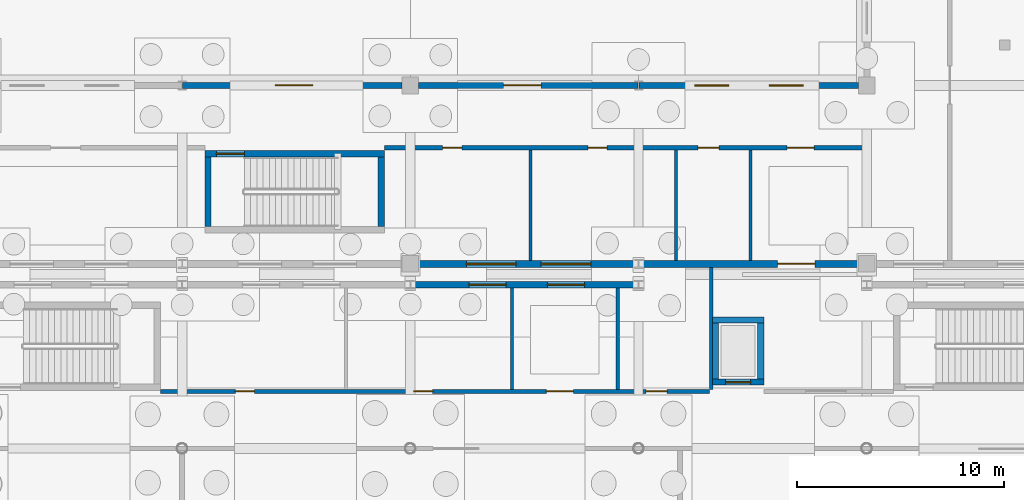
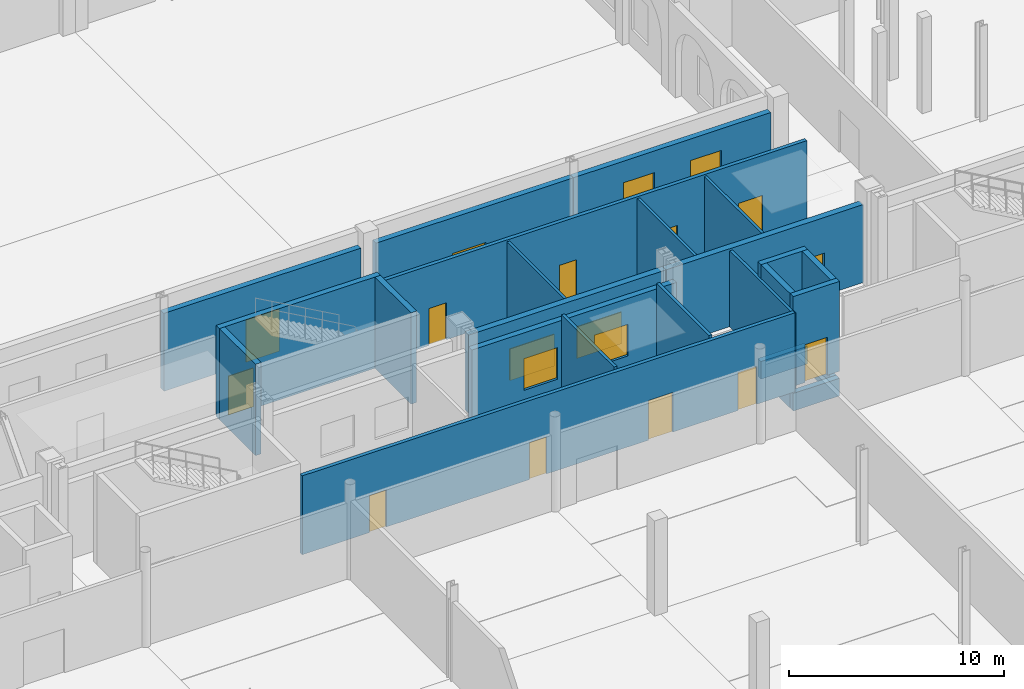
# One storey, part 55 of 83: 25 walls, 13 doors, 6 windows, 19 openings.
"""IFC4 building model written with IfcOpenShell, lengths in metres."""

from ifc_helpers import new_model, si_unit, direction, frame, frame_2d, origin, place, context, subcontext, project, spatial, rectangle, extrude, material, layer, layer_set, type_object, element, fill, save


model = new_model("IFC4")

# Units and contexts
model_context = context("Model", 3, precision=1e-05, world=origin(), true_north=direction((0.0, 1.0)))
body_context = subcontext(model_context, "Body", "Model", "MODEL_VIEW")
ifc_project = project(units=[si_unit("LENGTHUNIT", "METRE"), si_unit("AREAUNIT", "SQUARE_METRE"), si_unit("VOLUMEUNIT", "CUBIC_METRE"), si_unit("PLANEANGLEUNIT", "RADIAN"), si_unit("MASSUNIT", "GRAM", prefix="KILO")], contexts=[model_context])

# Site, building, storey
site_placement = place(None, origin())
site = spatial("IfcSite", under=ifc_project, at=site_placement, CompositionType="ELEMENT")
building_placement = place(site_placement, origin())
building = spatial("IfcBuilding", under=site, at=building_placement, Name="Caurita Quay Ferry Terminal", CompositionType="ELEMENT")
storey_placement = place(building_placement, origin())
storey = spatial("IfcBuildingStorey", under=building, at=storey_placement, Name="L00", CompositionType="ELEMENT", Elevation=0.0)

# Wall, opening, door
ifc_material_1 = material(Name="Reinforced concrete C35/45", Category="concrete")
ifc_layer_1 = layer(ifc_material_1, 0.300048828125, Name="Interior shear wall 300 mm")
ifc_layer_set_1 = layer_set([ifc_layer_1], Name="Reinforced concrete C35/45")
wall_type_1 = type_object("IfcWallType", Name="WL-CORE-300", PredefinedType="SHEAR", material=ifc_layer_set_1)
wall_1_placement = place(storey_placement, frame((42.75, 76.909912109375, 0.0), z_axis=(0.0, 0.0, 1.0), x_axis=(-1.0, 0.0, 0.0)))
wall_1 = element("IfcWall", 1, at=wall_1_placement, inside=storey, type_object=wall_type_1, Name="L00 ST-03 Core Wall North", PredefinedType="SHEAR", context=body_context, shape_type="SweptSolid", body=[
    extrude(rectangle(XDim=8.64990234375, YDim=0.300048828125, at=frame_2d((4.324951171875, 0.0))), origin(), (0.0, 0.0, 1.0), 5.179931640625),
])
opening_1_placement = place(wall_1_placement, frame((6.75, 0.0, 0.0)))
opening_1 = element("IfcOpeningElement", 2, at=opening_1_placement, cuts=wall_1, Name="Opening SD-01", PredefinedType="OPENING", context=body_context, shape_type="SweptSolid", body=[
    extrude(rectangle(XDim=1.35009765625, YDim=2.199951171875, at=frame_2d((0.675048828125, 1.10009765625))), frame((0.0, 0.159912109375, 0.0), z_axis=(0.0, -1.0, 0.0), x_axis=(1.0, 0.0, 0.0)), (0.0, 0.0, 1.0), 0.320068359375),
])
ifc_material_2 = material(Name="Anodized aluminium 6063-T6", Category="aluminium")
door_type_1 = type_object("IfcDoorType", Name="DR-ST-1200", OperationType="NOTDEFINED", PredefinedType="DOOR", material=ifc_material_2)
door_1_placement = place(opening_1_placement, frame((1.35009765625, 0.0, 0.0), z_axis=(0.0, 0.0, 1.0), x_axis=(-1.0, 0.0, 0.0)))
door_1 = element("IfcDoor", 3, at=door_1_placement, inside=storey, type_object=door_type_1, Name="L00 Exit Stair ST-03 Fire Door", OperationType="SINGLE_SWING_LEFT", OverallHeight=2.199951171875, OverallWidth=1.35009765625, PredefinedType="DOOR", context=body_context, shape_type="SweptSolid", body=[
    extrude(rectangle(XDim=1.35009765625, YDim=2.199951171875, at=frame_2d((0.675048828125, 1.10009765625))), frame((0.0, 0.02490234375, 0.0), z_axis=(0.0, -1.0, 0.0), x_axis=(1.0, 0.0, 0.0)), (0.0, 0.0, 1.0), 0.050048828125),
])
fill(opening_1, door_1)

# Walls
for number, where, z_axis, x_axis, name in (
    (4, (34.25, 76.760009765625, 0.0), (0.0, 0.0, 1.0), (0.0, -1.0, 0.0), "L00 ST-03 Core Wall West"),
    (5, (42.60009765625, 73.39990234375, 0.0), (0.0, 0.0, 1.0), (0.0, 1.0, 0.0), "L00 ST-03 Core Wall East"),
):
    element("IfcWall", number, at=place(storey_placement, frame(where, z_axis=z_axis, x_axis=x_axis)), inside=storey, type_object=wall_type_1, Name=name, PredefinedType="SHEAR", context=body_context, shape_type="SweptSolid", body=[
        extrude(rectangle(XDim=3.360107421875, YDim=0.300048828125, at=frame_2d((1.68017578125, 0.0))), origin(), (0.0, 0.0, 1.0), 5.179931640625),
    ])
for number, where, z_axis, x_axis, name in (
    (6, (58.554931640625, 65.905029296875, -1.39990234375), (0.0, 0.0, 1.0), (1.0, 0.0, 0.0), "Lift LP-02 Pit Wall S"),
    (7, (61.044921875, 68.89501953125, -1.39990234375), (0.0, 0.0, 1.0), (-1.0, 0.0, 0.0), "Lift LP-02 Pit Wall N"),
):
    element("IfcWall", number, at=place(storey_placement, frame(where, z_axis=z_axis, x_axis=x_axis)), inside=storey, type_object=wall_type_1, Name=name, PredefinedType="SHEAR", context=body_context, shape_type="SweptSolid", body=[
        extrude(rectangle(XDim=2.489990234375, YDim=0.300048828125, at=frame_2d((1.2451171875, 0.0))), origin(), (0.0, 0.0, 1.0), 1.0),
    ])
for number, where, z_axis, x_axis, name in (
    (8, (58.705078125, 68.7451171875, -1.39990234375), (0.0, 0.0, 1.0), (0.0, -1.0, 0.0), "Lift LP-02 Pit Wall W"),
    (9, (60.89501953125, 66.054931640625, -1.39990234375), (0.0, 0.0, 1.0), (0.0, 1.0, 0.0), "Lift LP-02 Pit Wall E"),
):
    element("IfcWall", number, at=place(storey_placement, frame(where, z_axis=z_axis, x_axis=x_axis)), inside=storey, type_object=wall_type_1, Name=name, PredefinedType="SHEAR", context=body_context, shape_type="SweptSolid", body=[
        extrude(rectangle(XDim=2.690185546875, YDim=0.300048828125, at=frame_2d((1.34521484375, 0.0))), origin(), (0.0, 0.0, 1.0), 1.0),
    ])

# Wall, opening, door
wall_2_placement = place(storey_placement, frame((58.554931640625, 65.905029296875, 0.0), z_axis=(0.0, 0.0, 1.0), x_axis=(1.0, 0.0, 0.0)))
wall_2 = element("IfcWall", 10, at=wall_2_placement, inside=storey, type_object=wall_type_1, Name="L00 Lift LP-02 Shaft Wall South", PredefinedType="SHEAR", context=body_context, shape_type="SweptSolid", body=[
    extrude(rectangle(XDim=2.489990234375, YDim=0.300048828125, at=frame_2d((1.2451171875, 0.0))), origin(), (0.0, 0.0, 1.0), 5.10009765625),
])
opening_2_placement = place(wall_2_placement, frame((0.64501953125, 0.0, 0.0)))
opening_2 = element("IfcOpeningElement", 11, at=opening_2_placement, cuts=wall_2, Name="Opening LD-02", PredefinedType="OPENING", context=body_context, shape_type="SweptSolid", body=[
    extrude(rectangle(XDim=1.199951171875, YDim=2.14990234375, at=frame_2d((0.60009765625, 1.074951171875))), frame((0.0, 0.159912109375, 0.0), z_axis=(0.0, -1.0, 0.0), x_axis=(1.0, 0.0, 0.0)), (0.0, 0.0, 1.0), 0.320068359375),
])
ifc_material_3 = material(Name="Bronze architectural metalwork", Category="metal")
door_type_2 = type_object("IfcDoorType", Name="DR-LD-02", OperationType="DOUBLE_DOOR_SLIDING", PredefinedType="DOOR", material=ifc_material_3)
door_2_placement = place(opening_2_placement, frame((1.199951171875, 0.0, 0.0), z_axis=(0.0, 0.0, 1.0), x_axis=(-1.0, 0.0, 0.0)))
door_2 = element("IfcDoor", 12, at=door_2_placement, inside=storey, type_object=door_type_2, Name="L00 Lift LP-02 Sliding Landing Door", OperationType="DOUBLE_DOOR_SLIDING", OverallHeight=2.14990234375, OverallWidth=1.199951171875, PredefinedType="DOOR", context=body_context, shape_type="SweptSolid", body=[
    extrude(rectangle(XDim=1.199951171875, YDim=2.14990234375, at=frame_2d((0.60009765625, 1.074951171875))), frame((0.0, 0.02490234375, 0.0), z_axis=(0.0, -1.0, 0.0), x_axis=(1.0, 0.0, 0.0)), (0.0, 0.0, 1.0), 0.050048828125),
])
fill(opening_2, door_2)

# Walls
wall_3_placement = place(storey_placement, frame((61.044921875, 68.89501953125, 0.0), z_axis=(0.0, 0.0, 1.0), x_axis=(-1.0, 0.0, 0.0)))
element("IfcWall", 13, at=wall_3_placement, inside=storey, type_object=wall_type_1, Name="L00 Lift LP-02 Shaft Wall North", PredefinedType="SHEAR", context=body_context, shape_type="SweptSolid", body=[
    extrude(rectangle(XDim=2.489990234375, YDim=0.300048828125, at=frame_2d((1.2451171875, 0.0))), origin(), (0.0, 0.0, 1.0), 5.10009765625),
])
for number, where, z_axis, x_axis, name in (
    (14, (58.705078125, 68.7451171875, 0.0), (0.0, 0.0, 1.0), (0.0, -1.0, 0.0), "L00 Lift LP-02 Shaft Wall West"),
    (15, (60.89501953125, 66.054931640625, 0.0), (0.0, 0.0, 1.0), (0.0, 1.0, 0.0), "L00 Lift LP-02 Shaft Wall East"),
):
    element("IfcWall", number, at=place(storey_placement, frame(where, z_axis=z_axis, x_axis=x_axis)), inside=storey, type_object=wall_type_1, Name=name, PredefinedType="SHEAR", context=body_context, shape_type="SweptSolid", body=[
        extrude(rectangle(XDim=2.690185546875, YDim=0.300048828125, at=frame_2d((1.34521484375, 0.0))), origin(), (0.0, 0.0, 1.0), 5.10009765625),
    ])

# Wall, openings, doors
ifc_material_4 = material(Name="Warm-white lime stucco masonry", Category="masonry")
ifc_layer_2 = layer(ifc_material_4, 0.199951171875, Name="Interior partitioning wall 200 mm")
ifc_layer_set_2 = layer_set([ifc_layer_2], Name="Warm-white lime stucco masonry")
wall_type_2 = type_object("IfcWallType", Name="WL-CORR-200", PredefinedType="PARTITIONING", material=ifc_layer_set_2)
wall_4_placement = place(storey_placement, frame((31.9599609375, 65.449951171875, 0.0), z_axis=(0.0, 0.0, 1.0), x_axis=(1.0, 0.0, 0.0)))
wall_4 = element("IfcWall", 16, at=wall_4_placement, inside=storey, type_object=wall_type_2, Name="L00 Interior Partition IW-L00-005", PredefinedType="PARTITIONING", context=body_context, shape_type="SweptSolid", body=[
    extrude(rectangle(XDim=26.455078125, YDim=0.199951171875, at=frame_2d((13.2275390625, 0.0))), origin(), (0.0, 0.0, 1.0), 4.48291015625),
])
opening_3_placement = place(wall_4_placement, frame((3.60009765625, 0.0, 0.0)))
opening_3 = element("IfcOpeningElement", 17, at=opening_3_placement, cuts=wall_4, Name="Opening ID-07", PredefinedType="OPENING", context=body_context, shape_type="SweptSolid", body=[
    extrude(rectangle(XDim=0.919921875, YDim=2.10009765625, at=frame_2d((0.4599609375, 1.050048828125))), frame((0.0, 0.10986328125, 0.0), z_axis=(0.0, -1.0, 0.0), x_axis=(1.0, 0.0, 0.0)), (0.0, 0.0, 1.0), 0.219970703125),
])
opening_4_placement = place(wall_4_placement, frame((12.199951171875, 0.0, 0.0)))
opening_4 = element("IfcOpeningElement", 18, at=opening_4_placement, cuts=wall_4, Name="Opening ID-07", PredefinedType="OPENING", context=body_context, shape_type="SweptSolid", body=[
    extrude(rectangle(XDim=0.919921875, YDim=2.10009765625, at=frame_2d((0.4599609375, 1.050048828125))), frame((0.0, 0.10986328125, 0.0), z_axis=(0.0, -1.0, 0.0), x_axis=(1.0, 0.0, 0.0)), (0.0, 0.0, 1.0), 0.219970703125),
])
opening_5_placement = place(wall_4_placement, frame((18.60009765625, 0.0, 0.0)))
opening_5 = element("IfcOpeningElement", 19, at=opening_5_placement, cuts=wall_4, Name="Opening ID-12", PredefinedType="OPENING", context=body_context, shape_type="SweptSolid", body=[
    extrude(rectangle(XDim=1.300048828125, YDim=2.25, at=frame_2d((0.64990234375, 1.125))), frame((0.0, 0.10986328125, 0.0), z_axis=(0.0, -1.0, 0.0), x_axis=(1.0, 0.0, 0.0)), (0.0, 0.0, 1.0), 0.219970703125),
])
opening_6_placement = place(wall_4_placement, frame((23.39990234375, 0.0, 0.0)))
opening_6 = element("IfcOpeningElement", 20, at=opening_6_placement, cuts=wall_4, Name="Opening ID-08", PredefinedType="OPENING", context=body_context, shape_type="SweptSolid", body=[
    extrude(rectangle(XDim=1.02001953125, YDim=2.14990234375, at=frame_2d((0.510009765625, 1.074951171875))), frame((0.0, 0.10986328125, 0.0), z_axis=(0.0, -1.0, 0.0), x_axis=(1.0, 0.0, 0.0)), (0.0, 0.0, 1.0), 0.219970703125),
])
ifc_material_5 = material(Name="Tropical mahogany hardwood", Category="wood")
door_type_3 = type_object("IfcDoorType", Name="DR-AWC-1020", OperationType="NOTDEFINED", PredefinedType="DOOR", material=ifc_material_5)
door_3_placement = place(opening_6_placement, frame((1.02001953125, 0.0, 0.0), z_axis=(0.0, 0.0, 1.0), x_axis=(-1.0, 0.0, 0.0)))
door_3 = element("IfcDoor", 21, at=door_3_placement, inside=storey, type_object=door_type_3, Name="Departure Accessible WC L00 Door", OperationType="SINGLE_SWING_RIGHT", OverallHeight=2.14990234375, OverallWidth=1.02001953125, PredefinedType="DOOR", context=body_context, shape_type="SweptSolid", body=[
    extrude(rectangle(XDim=1.02001953125, YDim=2.14990234375, at=frame_2d((0.510009765625, 1.074951171875))), frame((0.0, 0.02490234375, 0.0), z_axis=(0.0, -1.0, 0.0), x_axis=(1.0, 0.0, 0.0)), (0.0, 0.0, 1.0), 0.050048828125),
])
fill(opening_6, door_3)
door_type_4 = type_object("IfcDoorType", Name="DR-STR-1300", OperationType="NOTDEFINED", PredefinedType="DOOR", material=ifc_material_2)
door_4_placement = place(opening_5_placement, origin())
door_4 = element("IfcDoor", 22, at=door_4_placement, inside=storey, type_object=door_type_4, Name="Departure Cleaners Store L00 Door", OperationType="SINGLE_SWING_LEFT", OverallHeight=2.25, OverallWidth=1.300048828125, PredefinedType="DOOR", context=body_context, shape_type="SweptSolid", body=[
    extrude(rectangle(XDim=1.300048828125, YDim=2.25, at=frame_2d((0.64990234375, 1.125))), frame((0.0, 0.02490234375, 0.0), z_axis=(0.0, -1.0, 0.0), x_axis=(1.0, 0.0, 0.0)), (0.0, 0.0, 1.0), 0.050048828125),
])
fill(opening_5, door_4)
door_type_5 = type_object("IfcDoorType", Name="DR-WC-0920", OperationType="NOTDEFINED", PredefinedType="DOOR", material=ifc_material_5)
door_5_placement = place(opening_3_placement, origin())
door_5 = element("IfcDoor", 23, at=door_5_placement, inside=storey, type_object=door_type_5, Name="Departure Male WC L00 Door", OperationType="SINGLE_SWING_LEFT", OverallHeight=2.10009765625, OverallWidth=0.919921875, PredefinedType="DOOR", context=body_context, shape_type="SweptSolid", body=[
    extrude(rectangle(XDim=0.919921875, YDim=2.10009765625, at=frame_2d((0.4599609375, 1.050048828125))), frame((0.0, 0.02490234375, 0.0), z_axis=(0.0, -1.0, 0.0), x_axis=(1.0, 0.0, 0.0)), (0.0, 0.0, 1.0), 0.050048828125),
])
fill(opening_3, door_5)
door_6_placement = place(opening_4_placement, frame((0.919921875, 0.0, 0.0), z_axis=(0.0, 0.0, 1.0), x_axis=(-1.0, 0.0, 0.0)))
door_6 = element("IfcDoor", 24, at=door_6_placement, inside=storey, type_object=door_type_5, Name="Departure Female WC L00 Door", OperationType="SINGLE_SWING_RIGHT", OverallHeight=2.10009765625, OverallWidth=0.919921875, PredefinedType="DOOR", context=body_context, shape_type="SweptSolid", body=[
    extrude(rectangle(XDim=0.919921875, YDim=2.10009765625, at=frame_2d((0.4599609375, 1.050048828125))), frame((0.0, 0.02490234375, 0.0), z_axis=(0.0, -1.0, 0.0), x_axis=(1.0, 0.0, 0.0)), (0.0, 0.0, 1.0), 0.050048828125),
])
fill(opening_4, door_6)

wall_5_placement = place(storey_placement, frame((42.760009765625, 77.199951171875, 0.0), z_axis=(0.0, 0.0, 1.0), x_axis=(1.0, 0.0, 0.0)))
wall_5 = element("IfcWall", 25, at=wall_5_placement, inside=storey, type_object=wall_type_2, Name="L00 Interior Partition IW-L00-033", PredefinedType="PARTITIONING", context=body_context, shape_type="SweptSolid", body=[
    extrude(rectangle(XDim=23.080078125, YDim=0.199951171875, at=frame_2d((11.5400390625, 0.0))), origin(), (0.0, 0.0, 1.0), 4.52490234375),
])
opening_7_placement = place(wall_5_placement, frame((2.800048828125, 0.0, 0.0)))
opening_7 = element("IfcOpeningElement", 26, at=opening_7_placement, cuts=wall_5, Name="Opening ID-07", PredefinedType="OPENING", context=body_context, shape_type="SweptSolid", body=[
    extrude(rectangle(XDim=0.919921875, YDim=2.10009765625, at=frame_2d((0.4599609375, 1.050048828125))), frame((0.0, 0.10986328125, 0.0), z_axis=(0.0, -1.0, 0.0), x_axis=(1.0, 0.0, 0.0)), (0.0, 0.0, 1.0), 0.219970703125),
])
opening_8_placement = place(wall_5_placement, frame((9.800048828125, 0.0, 0.0)))
opening_8 = element("IfcOpeningElement", 27, at=opening_8_placement, cuts=wall_5, Name="Opening ID-07", PredefinedType="OPENING", context=body_context, shape_type="SweptSolid", body=[
    extrude(rectangle(XDim=0.919921875, YDim=2.10009765625, at=frame_2d((0.4599609375, 1.050048828125))), frame((0.0, 0.10986328125, 0.0), z_axis=(0.0, -1.0, 0.0), x_axis=(1.0, 0.0, 0.0)), (0.0, 0.0, 1.0), 0.219970703125),
])
opening_9_placement = place(wall_5_placement, frame((15.10009765625, 0.0, 0.0)))
opening_9 = element("IfcOpeningElement", 28, at=opening_9_placement, cuts=wall_5, Name="Opening ID-08", PredefinedType="OPENING", context=body_context, shape_type="SweptSolid", body=[
    extrude(rectangle(XDim=1.02001953125, YDim=2.14990234375, at=frame_2d((0.510009765625, 1.074951171875))), frame((0.0, 0.10986328125, 0.0), z_axis=(0.0, -1.0, 0.0), x_axis=(1.0, 0.0, 0.0)), (0.0, 0.0, 1.0), 0.219970703125),
])
opening_10_placement = place(wall_5_placement, frame((19.39990234375, 0.0, 0.0)))
opening_10 = element("IfcOpeningElement", 29, at=opening_10_placement, cuts=wall_5, Name="Opening ID-12", PredefinedType="OPENING", context=body_context, shape_type="SweptSolid", body=[
    extrude(rectangle(XDim=1.300048828125, YDim=2.25, at=frame_2d((0.64990234375, 1.125))), frame((0.0, 0.10986328125, 0.0), z_axis=(0.0, -1.0, 0.0), x_axis=(1.0, 0.0, 0.0)), (0.0, 0.0, 1.0), 0.219970703125),
])
door_7_placement = place(opening_9_placement, origin())
door_7 = element("IfcDoor", 30, at=door_7_placement, inside=storey, type_object=door_type_3, Name="Operations Accessible WC L00 Door", OperationType="SINGLE_SWING_LEFT", OverallHeight=2.14990234375, OverallWidth=1.02001953125, PredefinedType="DOOR", context=body_context, shape_type="SweptSolid", body=[
    extrude(rectangle(XDim=1.02001953125, YDim=2.14990234375, at=frame_2d((0.510009765625, 1.074951171875))), frame((0.0, 0.02490234375, 0.0), z_axis=(0.0, -1.0, 0.0), x_axis=(1.0, 0.0, 0.0)), (0.0, 0.0, 1.0), 0.050048828125),
])
fill(opening_9, door_7)
door_8_placement = place(opening_10_placement, frame((1.300048828125, 0.0, 0.0), z_axis=(0.0, 0.0, 1.0), x_axis=(-1.0, 0.0, 0.0)))
door_8 = element("IfcDoor", 31, at=door_8_placement, inside=storey, type_object=door_type_4, Name="Operations Cleaners Store L00 Door", OperationType="SINGLE_SWING_RIGHT", OverallHeight=2.25, OverallWidth=1.300048828125, PredefinedType="DOOR", context=body_context, shape_type="SweptSolid", body=[
    extrude(rectangle(XDim=1.300048828125, YDim=2.25, at=frame_2d((0.64990234375, 1.125))), frame((0.0, 0.02490234375, 0.0), z_axis=(0.0, -1.0, 0.0), x_axis=(1.0, 0.0, 0.0)), (0.0, 0.0, 1.0), 0.050048828125),
])
fill(opening_10, door_8)
door_9_placement = place(opening_7_placement, origin())
door_9 = element("IfcDoor", 32, at=door_9_placement, inside=storey, type_object=door_type_5, Name="Operations Male WC L00 Door", OperationType="SINGLE_SWING_LEFT", OverallHeight=2.10009765625, OverallWidth=0.919921875, PredefinedType="DOOR", context=body_context, shape_type="SweptSolid", body=[
    extrude(rectangle(XDim=0.919921875, YDim=2.10009765625, at=frame_2d((0.4599609375, 1.050048828125))), frame((0.0, 0.02490234375, 0.0), z_axis=(0.0, -1.0, 0.0), x_axis=(1.0, 0.0, 0.0)), (0.0, 0.0, 1.0), 0.050048828125),
])
fill(opening_7, door_9)
door_10_placement = place(opening_8_placement, frame((0.919921875, 0.0, 0.0), z_axis=(0.0, 0.0, 1.0), x_axis=(-1.0, 0.0, 0.0)))
door_10 = element("IfcDoor", 33, at=door_10_placement, inside=storey, type_object=door_type_5, Name="Operations Female WC L00 Door", OperationType="SINGLE_SWING_RIGHT", OverallHeight=2.10009765625, OverallWidth=0.919921875, PredefinedType="DOOR", context=body_context, shape_type="SweptSolid", body=[
    extrude(rectangle(XDim=0.919921875, YDim=2.10009765625, at=frame_2d((0.4599609375, 1.050048828125))), frame((0.0, 0.02490234375, 0.0), z_axis=(0.0, -1.0, 0.0), x_axis=(1.0, 0.0, 0.0)), (0.0, 0.0, 1.0), 0.050048828125),
])
fill(opening_8, door_10)

# Wall, opening, door
ifc_layer_3 = layer(ifc_material_4, 0.31005859375, Name="Exterior solidwall wall 310 mm")
ifc_layer_set_3 = layer_set([ifc_layer_3], Name="Warm-white lime stucco masonry")
wall_type_3 = type_object("IfcWallType", Name="WL-EXT-310", PredefinedType="SOLIDWALL", material=ifc_layer_set_3)
wall_6_placement = place(storey_placement, frame((33.015869140625, 80.199951171875, 0.0), z_axis=(0.0, 0.0, 1.0), x_axis=(1.0, 0.0, 0.0)))
wall_6 = element("IfcWall", 34, at=wall_6_placement, inside=storey, type_object=wall_type_3, Name="L00 Exterior Wall EW-L00-107", PredefinedType="SOLIDWALL", context=body_context, shape_type="SweptSolid", body=[
    extrude(rectangle(XDim=10.586181640625, YDim=0.31005859375, at=frame_2d((5.29296875, 0.0))), origin(), (0.0, 0.0, 1.0), 4.425048828125),
])
opening_11_placement = place(wall_6_placement, frame((4.484130859375, 0.0, 0.0)))
opening_11 = element("IfcOpeningElement", 35, at=opening_11_placement, cuts=wall_6, Name="Opening ED-03", PredefinedType="OPENING", context=body_context, shape_type="SweptSolid", body=[
    extrude(rectangle(XDim=1.800048828125, YDim=2.39990234375, at=frame_2d((0.89990234375, 1.199951171875))), frame((0.0, 0.1650390625, 0.0), z_axis=(0.0, -1.0, 0.0), x_axis=(1.0, 0.0, 0.0)), (0.0, 0.0, 1.0), 0.330078125),
])
door_type_6 = type_object("IfcDoorType", Name="DR-EXT-1824", OperationType="NOTDEFINED", PredefinedType="DOOR", material=ifc_material_2)
door_11_placement = place(opening_11_placement, origin())
door_11 = element("IfcDoor", 36, at=door_11_placement, inside=storey, type_object=door_type_6, Name="Courtyard Patio Door 3", OperationType="SINGLE_SWING_LEFT", OverallHeight=2.39990234375, OverallWidth=1.800048828125, PredefinedType="DOOR", context=body_context, shape_type="SweptSolid", body=[
    extrude(rectangle(XDim=1.800048828125, YDim=2.39990234375, at=frame_2d((0.89990234375, 1.199951171875))), frame((0.0, 0.02490234375, 0.0), z_axis=(0.0, -1.0, 0.0), x_axis=(1.0, 0.0, 0.0)), (0.0, 0.0, 1.0), 0.050048828125),
])
fill(opening_11, door_11)

wall_7_placement = place(storey_placement, frame((44.39794921875, 80.199951171875, 0.0), z_axis=(0.0, 0.0, 1.0), x_axis=(1.0, 0.0, 0.0)))
wall_7 = element("IfcWall", 37, at=wall_7_placement, inside=storey, type_object=wall_type_3, Name="L00 Exterior Wall EW-L00-108", PredefinedType="SOLIDWALL", context=body_context, shape_type="SweptSolid", body=[
    extrude(rectangle(XDim=10.586181640625, YDim=0.31005859375, at=frame_2d((5.29296875, 0.0))), origin(), (0.0, 0.0, 1.0), 4.425048828125),
])
opening_12_placement = place(wall_7_placement, frame((4.10205078125, 0.0, 0.0)))
opening_12 = element("IfcOpeningElement", 38, at=opening_12_placement, cuts=wall_7, Name="Opening ED-03", PredefinedType="OPENING", context=body_context, shape_type="SweptSolid", body=[
    extrude(rectangle(XDim=1.800048828125, YDim=2.39990234375, at=frame_2d((0.89990234375, 1.199951171875))), frame((0.0, 0.1650390625, 0.0), z_axis=(0.0, -1.0, 0.0), x_axis=(1.0, 0.0, 0.0)), (0.0, 0.0, 1.0), 0.330078125),
])
door_12_placement = place(opening_12_placement, origin())
door_12 = element("IfcDoor", 39, at=door_12_placement, inside=storey, type_object=door_type_6, Name="Courtyard Patio Door 4", OperationType="SINGLE_SWING_RIGHT", OverallHeight=2.39990234375, OverallWidth=1.800048828125, PredefinedType="DOOR", context=body_context, shape_type="SweptSolid", body=[
    extrude(rectangle(XDim=1.800048828125, YDim=2.39990234375, at=frame_2d((0.89990234375, 1.199951171875))), frame((0.0, 0.02490234375, 0.0), z_axis=(0.0, -1.0, 0.0), x_axis=(1.0, 0.0, 0.0)), (0.0, 0.0, 1.0), 0.050048828125),
])
fill(opening_12, door_12)

# Wall, openings, windows
wall_8_placement = place(storey_placement, frame((55.015869140625, 80.199951171875, 0.0), z_axis=(0.0, 0.0, 1.0), x_axis=(1.0, 0.0, 0.0)))
wall_8 = element("IfcWall", 40, at=wall_8_placement, inside=storey, type_object=wall_type_3, Name="L00 Exterior Wall EW-L00-109", PredefinedType="SOLIDWALL", context=body_context, shape_type="SweptSolid", body=[
    extrude(rectangle(XDim=10.586181640625, YDim=0.31005859375, at=frame_2d((5.29296875, 0.0))), origin(), (0.0, 0.0, 1.0), 4.425048828125),
])
opening_13_placement = place(wall_8_placement, frame((2.68408203125, 0.0, 0.949951171875)))
opening_13 = element("IfcOpeningElement", 41, at=opening_13_placement, cuts=wall_8, Name="Opening W-08", PredefinedType="OPENING", context=body_context, shape_type="SweptSolid", body=[
    extrude(rectangle(XDim=1.64990234375, YDim=2.25, at=frame_2d((0.824951171875, 1.125))), frame((0.0, 0.1650390625, 0.0), z_axis=(0.0, -1.0, 0.0), x_axis=(1.0, 0.0, 0.0)), (0.0, 0.0, 1.0), 0.330078125),
])
opening_14_placement = place(wall_8_placement, frame((6.2841796875, 0.0, 0.949951171875)))
opening_14 = element("IfcOpeningElement", 42, at=opening_14_placement, cuts=wall_8, Name="Opening W-08", PredefinedType="OPENING", context=body_context, shape_type="SweptSolid", body=[
    extrude(rectangle(XDim=1.64990234375, YDim=2.25, at=frame_2d((0.824951171875, 1.125))), frame((0.0, 0.1650390625, 0.0), z_axis=(0.0, -1.0, 0.0), x_axis=(1.0, 0.0, 0.0)), (0.0, 0.0, 1.0), 0.330078125),
])
ifc_material_6 = material(Name="Laminated solar-control insulated glass", Category="glass")
window_type_1 = type_object("IfcWindowType", Name="WIN-SC-16522", PartitioningType="SINGLE_PANEL", PredefinedType="WINDOW", material=ifc_material_6)
window_1_placement = place(opening_13_placement, origin())
window_1 = element("IfcWindow", 43, at=window_1_placement, inside=storey, type_object=window_type_1, Name="L00 Casement Window WN-L00-161", OverallHeight=2.25, OverallWidth=1.64990234375, PartitioningType="SINGLE_PANEL", PredefinedType="WINDOW", context=body_context, shape_type="SweptSolid", body=[
    extrude(rectangle(XDim=1.64990234375, YDim=2.25, at=frame_2d((0.824951171875, 1.125))), frame((0.0, 0.030029296875, 0.0), z_axis=(0.0, -1.0, 0.0), x_axis=(1.0, 0.0, 0.0)), (0.0, 0.0, 1.0), 0.06005859375),
])
fill(opening_13, window_1)
window_2_placement = place(opening_14_placement, origin())
window_2 = element("IfcWindow", 44, at=window_2_placement, inside=storey, type_object=window_type_1, Name="L00 Casement Window WN-L00-162", OverallHeight=2.25, OverallWidth=1.64990234375, PartitioningType="SINGLE_PANEL", PredefinedType="WINDOW", context=body_context, shape_type="SweptSolid", body=[
    extrude(rectangle(XDim=1.64990234375, YDim=2.25, at=frame_2d((0.824951171875, 1.125))), frame((0.0, 0.030029296875, 0.0), z_axis=(0.0, -1.0, 0.0), x_axis=(1.0, 0.0, 0.0)), (0.0, 0.0, 1.0), 0.06005859375),
])
fill(opening_14, window_2)

wall_9_placement = place(storey_placement, frame((54.99072265625, 70.60009765625, 0.0), z_axis=(0.0, 0.0, 1.0), x_axis=(-1.0, 0.0, 0.0)))
wall_9 = element("IfcWall", 45, at=wall_9_placement, inside=storey, type_object=wall_type_3, Name="L00 Exterior Wall EW-L00-173", PredefinedType="SOLIDWALL", context=body_context, shape_type="SweptSolid", body=[
    extrude(rectangle(XDim=10.9814453125, YDim=0.31005859375, at=frame_2d((5.49072265625, 0.0))), origin(), (0.0, 0.0, 1.0), 4.315185546875),
])
opening_15_placement = place(wall_9_placement, frame((2.5908203125, 0.0, 1.050048828125)))
opening_15 = element("IfcOpeningElement", 46, at=opening_15_placement, cuts=wall_9, Name="Opening W-09", PredefinedType="OPENING", context=body_context, shape_type="SweptSolid", body=[
    extrude(rectangle(XDim=1.800048828125, YDim=1.800048828125, at=frame_2d((0.89990234375, 0.89990234375))), frame((0.0, 0.1650390625, 0.0), z_axis=(0.0, -1.0, 0.0), x_axis=(1.0, 0.0, 0.0)), (0.0, 0.0, 1.0), 0.330078125),
])
opening_16_placement = place(wall_9_placement, frame((6.37109375, 0.0, 1.050048828125)))
opening_16 = element("IfcOpeningElement", 47, at=opening_16_placement, cuts=wall_9, Name="Opening W-09", PredefinedType="OPENING", context=body_context, shape_type="SweptSolid", body=[
    extrude(rectangle(XDim=1.800048828125, YDim=1.800048828125, at=frame_2d((0.89990234375, 0.89990234375))), frame((0.0, 0.1650390625, 0.0), z_axis=(0.0, -1.0, 0.0), x_axis=(1.0, 0.0, 0.0)), (0.0, 0.0, 1.0), 0.330078125),
])
window_type_2 = type_object("IfcWindowType", Name="WIN-SC-1818", PartitioningType="SINGLE_PANEL", PredefinedType="WINDOW", material=ifc_material_6)
window_3_placement = place(opening_15_placement, origin())
window_3 = element("IfcWindow", 48, at=window_3_placement, inside=storey, type_object=window_type_2, Name="L00 Casement Window WN-L00-257", OverallHeight=1.800048828125, OverallWidth=1.800048828125, PartitioningType="SINGLE_PANEL", PredefinedType="WINDOW", context=body_context, shape_type="SweptSolid", body=[
    extrude(rectangle(XDim=1.800048828125, YDim=1.800048828125, at=frame_2d((0.89990234375, 0.89990234375))), frame((0.0, 0.030029296875, 0.0), z_axis=(0.0, -1.0, 0.0), x_axis=(1.0, 0.0, 0.0)), (0.0, 0.0, 1.0), 0.06005859375),
])
fill(opening_15, window_3)
window_4_placement = place(opening_16_placement, origin())
window_4 = element("IfcWindow", 49, at=window_4_placement, inside=storey, type_object=window_type_2, Name="L00 Casement Window WN-L00-258", OverallHeight=1.800048828125, OverallWidth=1.800048828125, PartitioningType="SINGLE_PANEL", PredefinedType="WINDOW", context=body_context, shape_type="SweptSolid", body=[
    extrude(rectangle(XDim=1.800048828125, YDim=1.800048828125, at=frame_2d((0.89990234375, 0.89990234375))), frame((0.0, 0.030029296875, 0.0), z_axis=(0.0, -1.0, 0.0), x_axis=(1.0, 0.0, 0.0)), (0.0, 0.0, 1.0), 0.06005859375),
])
fill(opening_16, window_4)

ifc_layer_4 = layer(ifc_material_4, 0.340087890625, Name="Exterior solidwall wall 340 mm")
ifc_layer_set_4 = layer_set([ifc_layer_4], Name="Warm-white lime stucco masonry")
wall_type_4 = type_object("IfcWallType", Name="WL-EXT-340", PredefinedType="SOLIDWALL", material=ifc_layer_set_4)
wall_10_placement = place(storey_placement, frame((44.39794921875, 71.60009765625, 0.0), z_axis=(0.0, 0.0, 1.0), x_axis=(1.0, 0.0, 0.0)))
wall_10 = element("IfcWall", 50, at=wall_10_placement, inside=storey, type_object=wall_type_4, Name="L00 Exterior Wall EW-L00-057", PredefinedType="SOLIDWALL", context=body_context, shape_type="SweptSolid", body=[
    extrude(rectangle(XDim=10.586181640625, YDim=0.340087890625, at=frame_2d((5.29296875, 0.0))), origin(), (0.0, 0.0, 1.0), 4.425048828125),
])
opening_17_placement = place(wall_10_placement, frame((2.302001953125, 0.0, 0.949951171875)))
opening_17 = element("IfcOpeningElement", 51, at=opening_17_placement, cuts=wall_10, Name="Opening W-13", PredefinedType="OPENING", context=body_context, shape_type="SweptSolid", body=[
    extrude(rectangle(XDim=2.39990234375, YDim=1.800048828125, at=frame_2d((1.199951171875, 0.89990234375))), frame((0.0, 0.179931640625, 0.0), z_axis=(0.0, -1.0, 0.0), x_axis=(1.0, 0.0, 0.0)), (0.0, 0.0, 1.0), 0.360107421875),
])
opening_18_placement = place(wall_10_placement, frame((5.902099609375, 0.0, 0.949951171875)))
opening_18 = element("IfcOpeningElement", 52, at=opening_18_placement, cuts=wall_10, Name="Opening W-13", PredefinedType="OPENING", context=body_context, shape_type="SweptSolid", body=[
    extrude(rectangle(XDim=2.39990234375, YDim=1.800048828125, at=frame_2d((1.199951171875, 0.89990234375))), frame((0.0, 0.179931640625, 0.0), z_axis=(0.0, -1.0, 0.0), x_axis=(1.0, 0.0, 0.0)), (0.0, 0.0, 1.0), 0.360107421875),
])
window_type_3 = type_object("IfcWindowType", Name="WIN-SC-2418", PartitioningType="SINGLE_PANEL", PredefinedType="WINDOW", material=ifc_material_6)
window_5_placement = place(opening_17_placement, origin())
window_5 = element("IfcWindow", 53, at=window_5_placement, inside=storey, type_object=window_type_3, Name="L00 Casement Window WN-L00-085", OverallHeight=1.800048828125, OverallWidth=2.39990234375, PartitioningType="SINGLE_PANEL", PredefinedType="WINDOW", context=body_context, shape_type="SweptSolid", body=[
    extrude(rectangle(XDim=2.39990234375, YDim=1.800048828125, at=frame_2d((1.199951171875, 0.89990234375))), frame((0.0, 0.030029296875, 0.0), z_axis=(0.0, -1.0, 0.0), x_axis=(1.0, 0.0, 0.0)), (0.0, 0.0, 1.0), 0.06005859375),
])
fill(opening_17, window_5)
window_6_placement = place(opening_18_placement, origin())
window_6 = element("IfcWindow", 54, at=window_6_placement, inside=storey, type_object=window_type_3, Name="L00 Casement Window WN-L00-086", OverallHeight=1.800048828125, OverallWidth=2.39990234375, PartitioningType="SINGLE_PANEL", PredefinedType="WINDOW", context=body_context, shape_type="SweptSolid", body=[
    extrude(rectangle(XDim=2.39990234375, YDim=1.800048828125, at=frame_2d((1.199951171875, 0.89990234375))), frame((0.0, 0.030029296875, 0.0), z_axis=(0.0, -1.0, 0.0), x_axis=(1.0, 0.0, 0.0)), (0.0, 0.0, 1.0), 0.06005859375),
])
fill(opening_18, window_6)

# Wall, opening, door
wall_11_placement = place(storey_placement, frame((55.015869140625, 71.60009765625, 0.0), z_axis=(0.0, 0.0, 1.0), x_axis=(1.0, 0.0, 0.0)))
wall_11 = element("IfcWall", 55, at=wall_11_placement, inside=storey, type_object=wall_type_4, Name="L00 Exterior Wall EW-L00-058", PredefinedType="SOLIDWALL", context=body_context, shape_type="SweptSolid", body=[
    extrude(rectangle(XDim=10.586181640625, YDim=0.340087890625, at=frame_2d((5.29296875, 0.0))), origin(), (0.0, 0.0, 1.0), 4.425048828125),
])
opening_19_placement = place(wall_11_placement, frame((6.68408203125, 0.0, 0.0)))
opening_19 = element("IfcOpeningElement", 56, at=opening_19_placement, cuts=wall_11, Name="Opening ED-03", PredefinedType="OPENING", context=body_context, shape_type="SweptSolid", body=[
    extrude(rectangle(XDim=1.800048828125, YDim=2.39990234375, at=frame_2d((0.89990234375, 1.199951171875))), frame((0.0, 0.179931640625, 0.0), z_axis=(0.0, -1.0, 0.0), x_axis=(1.0, 0.0, 0.0)), (0.0, 0.0, 1.0), 0.360107421875),
])
door_13_placement = place(opening_19_placement, frame((1.800048828125, 0.0, 0.0), z_axis=(0.0, 0.0, 1.0), x_axis=(-1.0, 0.0, 0.0)))
door_13 = element("IfcDoor", 57, at=door_13_placement, inside=storey, type_object=door_type_6, Name="L00 Seismic Link Door SJ4-E", OperationType="SINGLE_SWING_LEFT", OverallHeight=2.39990234375, OverallWidth=1.800048828125, PredefinedType="DOOR", context=body_context, shape_type="SweptSolid", body=[
    extrude(rectangle(XDim=1.800048828125, YDim=2.39990234375, at=frame_2d((0.89990234375, 1.199951171875))), frame((0.0, 0.02490234375, 0.0), z_axis=(0.0, -1.0, 0.0), x_axis=(1.0, 0.0, 0.0)), (0.0, 0.0, 1.0), 0.050048828125),
])
fill(opening_19, door_13)

# Walls
ifc_material_7 = material(Name="Gypsum board partition", Category="masonry")
ifc_layer_5 = layer(ifc_material_7, 0.14501953125, Name="Interior partitioning wall 145 mm")
ifc_layer_set_5 = layer_set([ifc_layer_5], Name="Gypsum board partition")
wall_type_5 = type_object("IfcWallType", Name="WL-PART-145", PredefinedType="PARTITIONING", material=ifc_layer_set_5)
for number, where, z_axis, x_axis, name in (
    (58, (49.800048828125, 71.77490234375, 0.0), (0.0, 0.0, 1.0), (0.0, 1.0, 0.0), "L00 Interior Partition IW-L00-034"),
    (59, (56.800048828125, 71.77490234375, 0.0), (0.0, 0.0, 1.0), (0.0, 1.0, 0.0), "L00 Interior Partition IW-L00-035"),
    (60, (60.39990234375, 71.77490234375, 0.0), (0.0, 0.0, 1.0), (0.0, 1.0, 0.0), "L00 Interior Partition IW-L00-036"),
):
    element("IfcWall", number, at=place(storey_placement, frame(where, z_axis=z_axis, x_axis=x_axis)), inside=storey, type_object=wall_type_5, Name=name, PredefinedType="PARTITIONING", context=body_context, shape_type="SweptSolid", body=[
        extrude(rectangle(XDim=5.320068359375, YDim=0.14501953125, at=frame_2d((2.66015625, 0.0))), origin(), (0.0, 0.0, 1.0), 4.425048828125),
    ])
ifc_layer_6 = layer(ifc_material_7, 0.159912109375, Name="Interior partitioning wall 160 mm")
ifc_layer_set_6 = layer_set([ifc_layer_6], Name="Gypsum board partition")
wall_type_6 = type_object("IfcWallType", Name="WL-PART-160", PredefinedType="PARTITIONING", material=ifc_layer_set_6)
for number, where, z_axis, x_axis, name in (
    (61, (48.89990234375, 65.554931640625, 0.0), (0.0, 0.0, 1.0), (0.0, 1.0, 0.0), "L00 Interior Partition IW-L00-007"),
    (62, (54.0, 65.554931640625, 0.0), (0.0, 0.0, 1.0), (0.0, 1.0, 0.0), "L00 Interior Partition IW-L00-008"),
):
    element("IfcWall", number, at=place(storey_placement, frame(where, z_axis=z_axis, x_axis=x_axis)), inside=storey, type_object=wall_type_6, Name=name, PredefinedType="PARTITIONING", context=body_context, shape_type="SweptSolid", body=[
        extrude(rectangle(XDim=4.885009765625, YDim=0.159912109375, at=frame_2d((2.4423828125, 0.0))), origin(), (0.0, 0.0, 1.0), 4.6376953125),
    ])
wall_12_placement = place(storey_placement, frame((58.5, 65.554931640625, 0.0), z_axis=(0.0, 0.0, 1.0), x_axis=(0.0, 1.0, 0.0)))
element("IfcWall", 63, at=wall_12_placement, inside=storey, type_object=wall_type_6, Name="L00 Interior Partition IW-L00-009", PredefinedType="PARTITIONING", context=body_context, shape_type="SweptSolid", body=[
    extrude(rectangle(XDim=5.8701171875, YDim=0.159912109375, at=frame_2d((2.93505859375, 0.0))), origin(), (0.0, 0.0, 1.0), 4.315185546875),
])

save(model, "model.ifc")
